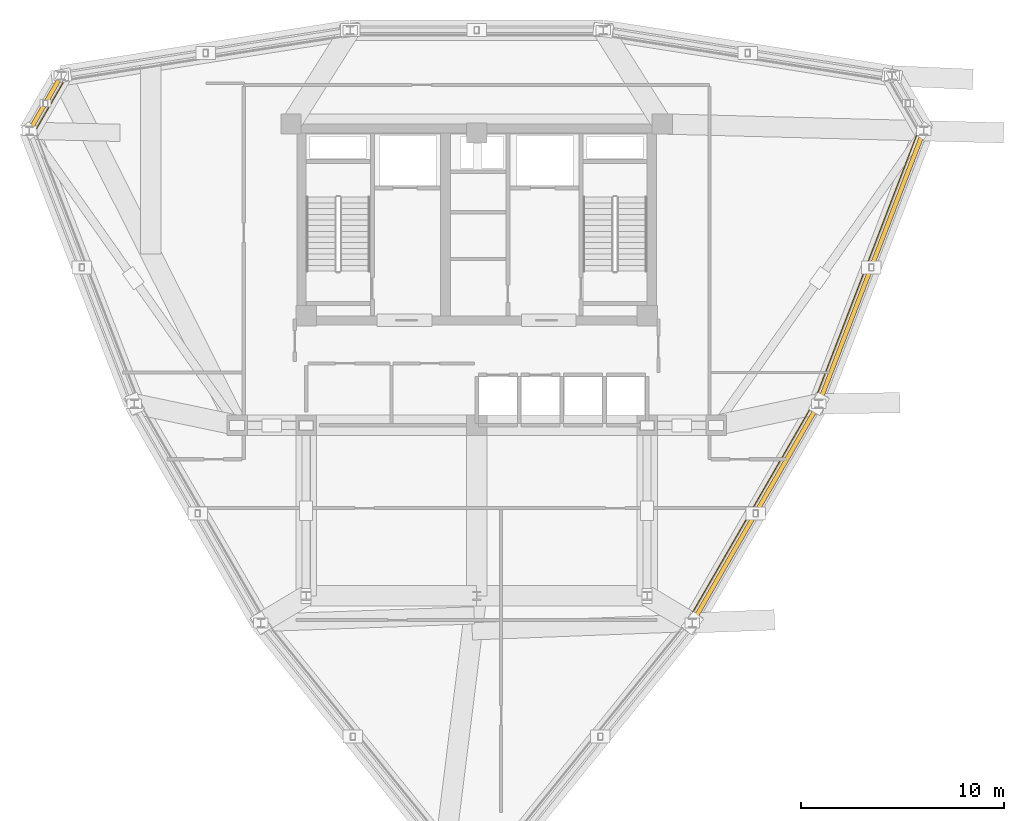
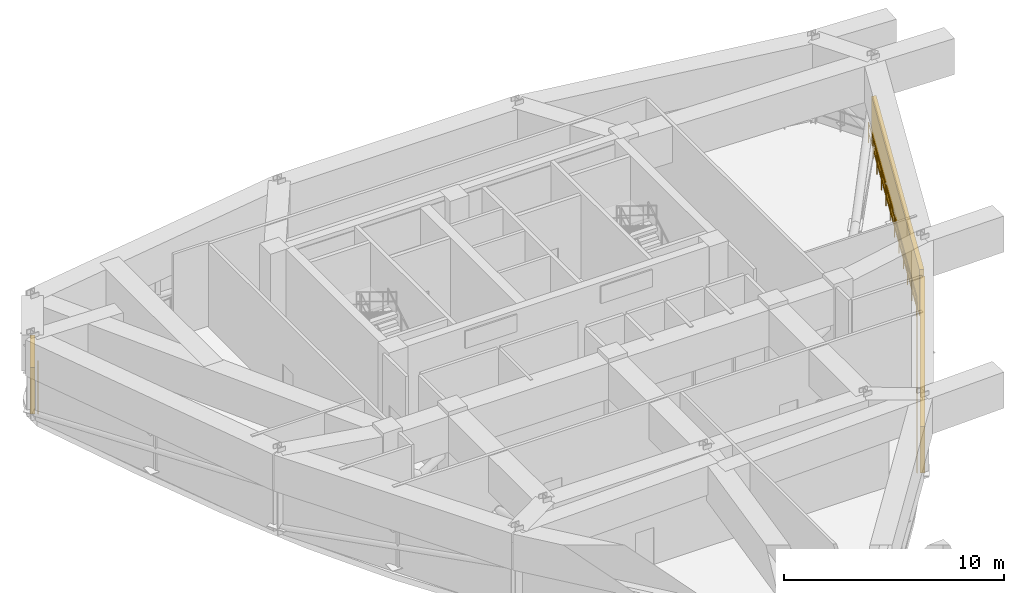
# One storey, part 11 of 12: 3 railings, 3 shading devices.
"""IFC4 building model written with IfcOpenShell, lengths in metres."""

from ifc_helpers import new_model, si_unit, derived_unit, direction, frame, origin, origin_2d, place, context, subcontext, project, spatial, polyline, circle, outline, extrude, material, layer, layer_set, type_object, element, save


model = new_model("IFC4")

# Units and contexts
model_context = context("Model", 3, precision=1e-05, world=origin(), true_north=direction((0.0, 1.0)))
body_context = subcontext(model_context, "Body", "Model", "MODEL_VIEW")
ifc_project = project(units=[si_unit("LENGTHUNIT", "METRE"), si_unit("AREAUNIT", "SQUARE_METRE"), si_unit("VOLUMEUNIT", "CUBIC_METRE"), si_unit("PLANEANGLEUNIT", "RADIAN"), si_unit("MASSUNIT", "GRAM", prefix="KILO"), derived_unit("THERMALTRANSMITTANCEUNIT", [(si_unit("POWERUNIT", "WATT"), 1), (si_unit("LENGTHUNIT", "METRE"), -2), (si_unit("THERMODYNAMICTEMPERATUREUNIT", "KELVIN"), -1)])], contexts=[model_context])

# Site, building, storey
site_placement = place(None, origin())
site = spatial("IfcSite", under=ifc_project, at=site_placement, CompositionType="ELEMENT")
building_placement = place(site_placement, origin())
building = spatial("IfcBuilding", under=site, at=building_placement, Name="Korsvarv Bourse and Concert Hall", CompositionType="ELEMENT")
storey_placement = place(building_placement, frame((0.0, 0.0, 201.0)))
storey = spatial("IfcBuildingStorey", under=building, at=storey_placement, Name="L52", CompositionType="ELEMENT", Elevation=201.0)

# Railings
ifc_material_1 = material(Name="Laminated safety glass and stainless Steel S355 balustrade", Category="steel")
railing_type = type_object("IfcRailingType", Name="RL-BAL-EXT", PredefinedType="BALUSTRADE", material=ifc_material_1)
railing_1_placement = place(storey_placement, frame((15.619384765625, 49.26953125, 0.0)))
element("IfcRailing", 1, at=railing_1_placement, inside=storey, type_object=railing_type, Name="L52 Refuge Band Perimeter Safety Balustrade 5", PredefinedType="BALUSTRADE", context=body_context, shape_type="SweptSolid", body=[
    extrude(circle(Radius=0.02392578125, at=origin_2d()), frame((0.0, 0.0, 1.1259765625), z_axis=(-0.500022859943, -0.866012205188, 0.0), x_axis=(0.866012205188, -0.500022859943, 0.0)), (0.0, 0.0, 1.0), 2.60302734375),
    extrude(circle(Radius=0.02392578125, at=origin_2d()), frame((0.0, 0.0, 0.574951171875), z_axis=(-0.500022859943, -0.866012205188, 0.0), x_axis=(0.866012205188, -0.500022859943, 0.0)), (0.0, 0.0, 1.0), 2.60302734375),
    extrude(circle(Radius=0.02099609375, at=origin_2d()), origin(), (0.0, 0.0, 1.0), 1.101806640625),
    extrude(circle(Radius=0.02099609375, at=origin_2d()), frame((-0.65087890625, -1.126953125, 0.0)), (0.0, 0.0, 1.0), 1.101806640625),
    extrude(circle(Radius=0.02099609375, at=origin_2d()), frame((-1.301513671875, -2.254150390625, 0.0)), (0.0, 0.0, 1.0), 1.101806640625),
])
railing_2_placement = place(storey_placement, frame((46.5439453125, 23.01904296875, 0.0)))
element("IfcRailing", 2, at=railing_2_placement, inside=storey, type_object=railing_type, Name="L52 Refuge Band Perimeter Safety Balustrade 11", PredefinedType="BALUSTRADE", context=body_context, shape_type="SweptSolid", body=[
    extrude(circle(Radius=0.02392578125, at=origin_2d()), frame((0.0, 0.0, 1.1259765625), z_axis=(0.500007423246, 0.866021117929, 0.0), x_axis=(-0.866021117929, 0.500007423246, 0.0)), (0.0, 0.0, 1.0), 11.939697265625),
    extrude(circle(Radius=0.02392578125, at=origin_2d()), frame((0.0, 0.0, 0.574951171875), z_axis=(0.500007423246, 0.866021117929, 0.0), x_axis=(-0.866021117929, 0.500007423246, 0.0)), (0.0, 0.0, 1.0), 11.939697265625),
    extrude(circle(Radius=0.02099609375, at=origin_2d()), origin(), (0.0, 0.0, 1.0), 1.101806640625),
    extrude(circle(Radius=0.02099609375, at=origin_2d()), frame((0.663330078125, 1.14892578125, 0.0)), (0.0, 0.0, 1.0), 1.101806640625),
    extrude(circle(Radius=0.02099609375, at=origin_2d()), frame((1.32666015625, 2.2978515625, 0.0)), (0.0, 0.0, 1.0), 1.101806640625),
    extrude(circle(Radius=0.02099609375, at=origin_2d()), frame((1.989990234375, 3.44677734375, 0.0)), (0.0, 0.0, 1.0), 1.101806640625),
    extrude(circle(Radius=0.02099609375, at=origin_2d()), frame((2.6533203125, 4.595703125, 0.0)), (0.0, 0.0, 1.0), 1.101806640625),
    extrude(circle(Radius=0.02099609375, at=origin_2d()), frame((3.316650390625, 5.744384765625, 0.0)), (0.0, 0.0, 1.0), 1.101806640625),
    extrude(circle(Radius=0.02099609375, at=origin_2d()), frame((3.97998046875, 6.893310546875, 0.0)), (0.0, 0.0, 1.0), 1.101806640625),
    extrude(circle(Radius=0.02099609375, at=origin_2d()), frame((4.643310546875, 8.042236328125, 0.0)), (0.0, 0.0, 1.0), 1.101806640625),
    extrude(circle(Radius=0.02099609375, at=origin_2d()), frame((5.306640625, 9.191162109375, 0.0)), (0.0, 0.0, 1.0), 1.101806640625),
    extrude(circle(Radius=0.02099609375, at=origin_2d()), frame((5.969970703125, 10.340087890625, 0.0)), (0.0, 0.0, 1.0), 1.101806640625),
])
railing_3_placement = place(storey_placement, frame((52.716064453125, 33.77978515625, 0.0)))
element("IfcRailing", 3, at=railing_3_placement, inside=storey, type_object=railing_type, Name="L52 Refuge Band Perimeter Safety Balustrade 12", PredefinedType="BALUSTRADE", context=body_context, shape_type="SweptSolid", body=[
    extrude(circle(Radius=0.02392578125, at=origin_2d()), frame((0.0, 0.0, 1.1259765625), z_axis=(0.358686430799, 0.933458110662, 0.0), x_axis=(-0.933458110662, 0.358686430799, 0.0)), (0.0, 0.0, 1.0), 13.920654296875),
    extrude(circle(Radius=0.02392578125, at=origin_2d()), frame((0.0, 0.0, 0.574951171875), z_axis=(0.358686430799, 0.933458110662, 0.0), x_axis=(-0.933458110662, 0.358686430799, 0.0)), (0.0, 0.0, 1.0), 13.920654296875),
    extrude(circle(Radius=0.02099609375, at=origin_2d()), origin(), (0.0, 0.0, 1.0), 1.101806640625),
    extrude(circle(Radius=0.02099609375, at=origin_2d()), frame((0.453857421875, 1.181396484375, 0.0)), (0.0, 0.0, 1.0), 1.101806640625),
    extrude(circle(Radius=0.02099609375, at=origin_2d()), frame((0.907958984375, 2.362548828125, 0.0)), (0.0, 0.0, 1.0), 1.101806640625),
    extrude(circle(Radius=0.02099609375, at=origin_2d()), frame((1.36181640625, 3.5439453125, 0.0)), (0.0, 0.0, 1.0), 1.101806640625),
    extrude(circle(Radius=0.02099609375, at=origin_2d()), frame((1.815673828125, 4.725341796875, 0.0)), (0.0, 0.0, 1.0), 1.101806640625),
    extrude(circle(Radius=0.02099609375, at=origin_2d()), frame((2.26953125, 5.906494140625, 0.0)), (0.0, 0.0, 1.0), 1.101806640625),
    extrude(circle(Radius=0.02099609375, at=origin_2d()), frame((2.7236328125, 7.087890625, 0.0)), (0.0, 0.0, 1.0), 1.101806640625),
    extrude(circle(Radius=0.02099609375, at=origin_2d()), frame((3.177490234375, 8.26904296875, 0.0)), (0.0, 0.0, 1.0), 1.101806640625),
    extrude(circle(Radius=0.02099609375, at=origin_2d()), frame((3.63134765625, 9.450439453125, 0.0)), (0.0, 0.0, 1.0), 1.101806640625),
    extrude(circle(Radius=0.02099609375, at=origin_2d()), frame((4.085205078125, 10.6318359375, 0.0)), (0.0, 0.0, 1.0), 1.101806640625),
    extrude(circle(Radius=0.02099609375, at=origin_2d()), frame((4.539306640625, 11.81298828125, 0.0)), (0.0, 0.0, 1.0), 1.101806640625),
    extrude(circle(Radius=0.02099609375, at=origin_2d()), frame((4.9931640625, 12.994384765625, 0.0)), (0.0, 0.0, 1.0), 1.101806640625),
])

# Shading devices
ifc_material_2 = material(Name="Marine-grade powder-coated aluminium acoustic storm louvre", Category="aluminium")
ifc_layer = layer(ifc_material_2, 0.219970703125)
ifc_layer_set = layer_set([ifc_layer], Name="Marine-grade powder-coated aluminium acoustic storm louvre")
shading_device_type = type_object("IfcShadingDeviceType", Name="SHD-LVR-1", PredefinedType="JALOUSIE", material=ifc_layer_set)
shading_device_1_placement = place(storey_placement, origin())
element("IfcShadingDevice", 4, at=shading_device_1_placement, inside=storey, type_object=shading_device_type, Name="L52 Refuge Acoustic Storm Louvre Bay 5", PredefinedType="JALOUSIE", context=body_context, shape_type="SweptSolid", body=[
    extrude(outline(polyline([(15.498291015625, 49.339599609375), (14.19677734375, 47.08544921875), (14.006103515625, 47.1953125), (15.3076171875, 49.449462890625), (15.498291015625, 49.339599609375)])), origin(), (0.0, 0.0, 1.0), 2.570068359375),
])
shading_device_2_placement = place(storey_placement, origin())
element("IfcShadingDevice", 5, at=shading_device_2_placement, inside=storey, type_object=shading_device_type, Name="L52 Refuge Acoustic Storm Louvre Bay 11", PredefinedType="JALOUSIE", context=body_context, shape_type="SweptSolid", body=[
    extrude(outline(polyline([(46.6650390625, 22.94921875), (52.635009765625, 33.289306640625), (52.82568359375, 33.17919921875), (46.855712890625, 22.839111328125), (46.6650390625, 22.94921875)])), origin(), (0.0, 0.0, 1.0), 2.570068359375),
])
shading_device_3_placement = place(storey_placement, origin())
element("IfcShadingDevice", 6, at=shading_device_3_placement, inside=storey, type_object=shading_device_type, Name="L52 Refuge Acoustic Storm Louvre Bay 12", PredefinedType="JALOUSIE", context=body_context, shape_type="SweptSolid", body=[
    extrude(outline(polyline([(52.8466796875, 33.729736328125), (57.83984375, 46.723876953125), (58.04541015625, 46.64501953125), (53.05224609375, 33.650634765625), (52.8466796875, 33.729736328125)])), origin(), (0.0, 0.0, 1.0), 2.570068359375),
])

save(model, "model.ifc")
